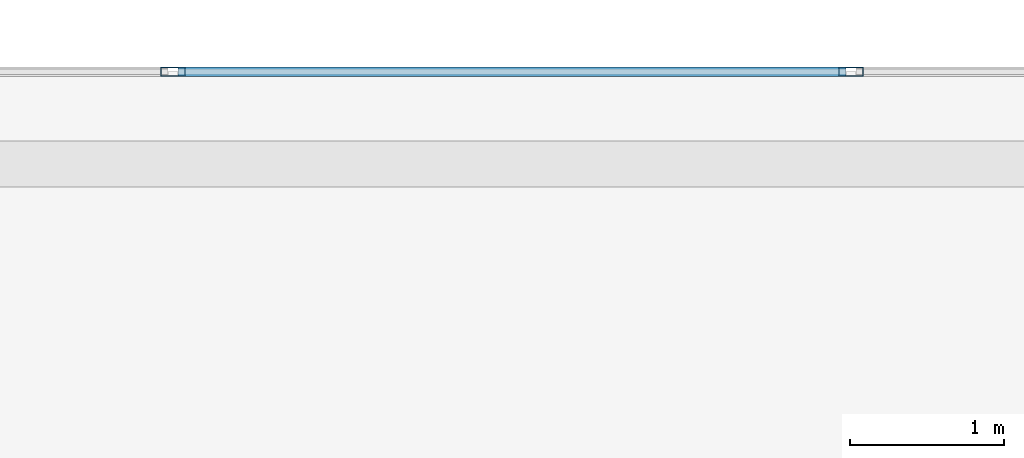
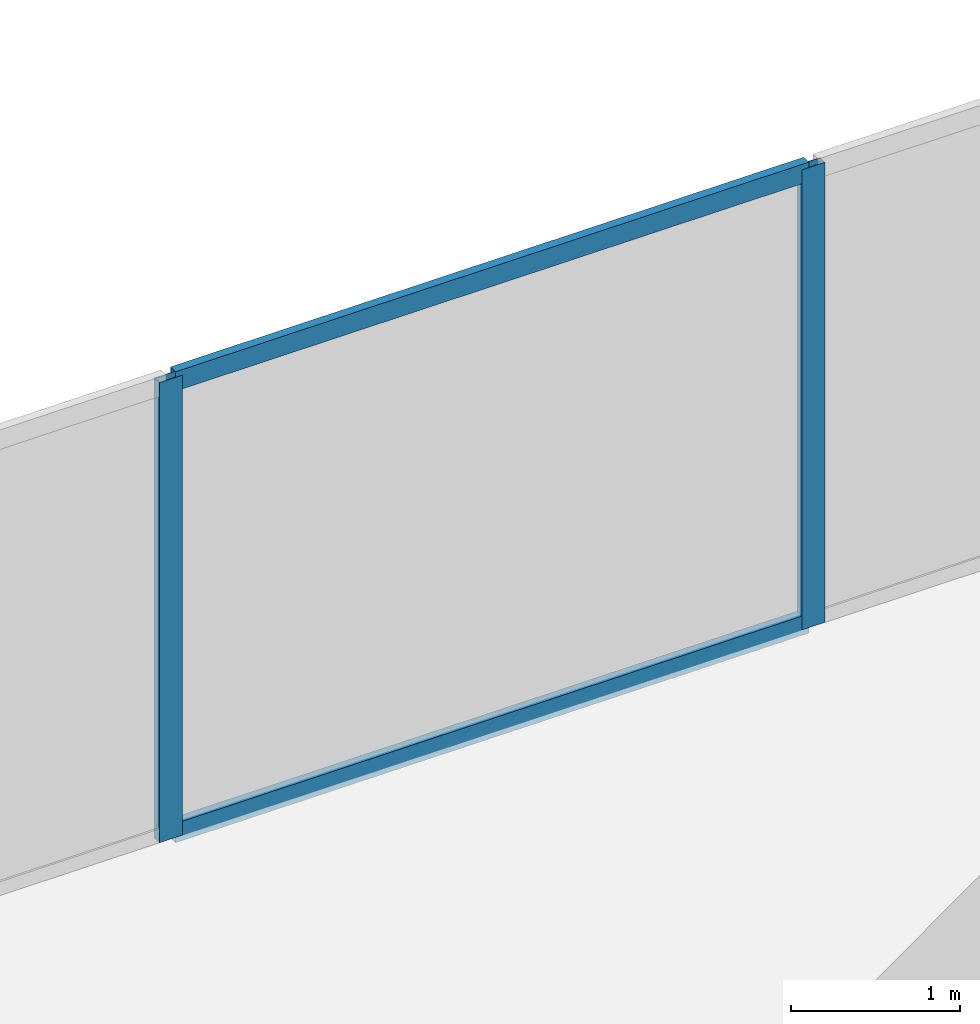
# One storey, part 22 of 34: 4 members, 1 element without a shape of its own.
"""IFC4 building model written with IfcOpenShell, lengths in metres."""

from ifc_helpers import new_model, si_unit, direction, frame, origin, origin_2d, place, context, subcontext, project, spatial, hollow_rectangle, extrude, material, layer, layer_set, material_profile, profile_set, type_object, element, aggregate, save


model = new_model("IFC4")

# Units and contexts
model_context = context("Model", 3, precision=1e-05, world=origin(), true_north=direction((0.0, 1.0)))
body_context = subcontext(model_context, "Body", "Model", "MODEL_VIEW")
ifc_project = project(units=[si_unit("LENGTHUNIT", "METRE"), si_unit("AREAUNIT", "SQUARE_METRE"), si_unit("VOLUMEUNIT", "CUBIC_METRE"), si_unit("PLANEANGLEUNIT", "RADIAN"), si_unit("MASSUNIT", "GRAM", prefix="KILO")], contexts=[model_context])

# Site, building, storey
site_placement = place(None, origin())
site = spatial("IfcSite", under=ifc_project, at=site_placement, CompositionType="ELEMENT")
building_placement = place(site_placement, origin())
building = spatial("IfcBuilding", under=site, at=building_placement, Name="Catumbela Crestline Tower", CompositionType="ELEMENT")
storey_placement = place(building_placement, frame((0.0, 0.0, 111.6)))
storey = spatial("IfcBuildingStorey", under=building, at=storey_placement, Name="L28", CompositionType="ELEMENT", Elevation=111.6)

# Curtain wall, members
ifc_material = material(Name="Aluminium alloy AW-6060-T66", Category="aluminium")
ifc_layer = layer(ifc_material, 0.18, Name="Aluminium alloy AW-6060-T66")
ifc_layer_set = layer_set([ifc_layer], Name="Aluminium alloy AW-6060-T66")
curtain_wall_type = type_object("IfcCurtainWallType", Name="CWU-Z2", PredefinedType="USERDEFINED", material=ifc_layer_set)
curtain_wall_placement = place(storey_placement, origin())
curtain_wall = element("IfcCurtainWall", 1, at=curtain_wall_placement, inside=storey, type_object=curtain_wall_type, Name="L28 Unitised Curtain Wall CW-L28-E7S1", ObjectType="UNITISED", PredefinedType="USERDEFINED")
ifc_material_profile_1 = material_profile(ifc_material, hollow_rectangle(XDim=0.06, YDim=0.16, WallThickness=0.004, at=origin_2d()), Name="ALU 160x60x4")
ifc_profile_set_1 = profile_set([ifc_material_profile_1], Name="Aluminium alloy AW-6060-T66")
member_type_1 = type_object("IfcMemberType", Name="MUL-160X60", PredefinedType="MULLION", material=ifc_profile_set_1)
member_1_placement = place(storey_placement, frame((29.9, 48.0, 0.0), z_axis=(0.0, 0.0, 1.0), x_axis=(0.0, -1.0, 0.0)))
member_1 = element("IfcMember", 2, at=member_1_placement, type_object=member_type_1, Name="CWU-Z2 mullion 5", PredefinedType="MULLION", context=body_context, shape_type="SweptSolid", body=[
    extrude(hollow_rectangle(XDim=0.06, YDim=0.16, WallThickness=0.004, at=origin_2d()), origin(), (0.0, 0.0, 1.0), 3.33),
])
member_2_placement = place(storey_placement, frame((25.5, 48.0, 0.0), z_axis=(0.0, 0.0, 1.0), x_axis=(0.0, -1.0, 0.0)))
member_2 = element("IfcMember", 3, at=member_2_placement, type_object=member_type_1, Name="CWU-Z2 mullion 6", PredefinedType="MULLION", context=body_context, shape_type="SweptSolid", body=[
    extrude(hollow_rectangle(XDim=0.06, YDim=0.16, WallThickness=0.004, at=origin_2d()), origin(), (0.0, 0.0, 1.0), 3.33),
])
ifc_material_profile_2 = material_profile(ifc_material, hollow_rectangle(XDim=0.06, YDim=0.14, WallThickness=0.004, at=origin_2d()), Name="ALU 140x60x4")
ifc_profile_set_2 = profile_set([ifc_material_profile_2], Name="Aluminium alloy AW-6060-T66")
member_type_2 = type_object("IfcMemberType", Name="TRN-140X60", PredefinedType="USERDEFINED", material=ifc_profile_set_2)
member_3_placement = place(storey_placement, frame((29.8675, 48.0, 0.03), z_axis=(-1.0, 0.0, 0.0), x_axis=(0.0, -1.0, 0.0)))
member_3 = element("IfcMember", 4, at=member_3_placement, type_object=member_type_2, Name="CWU-Z2 transom 5.1", ObjectType="TRANSOM", PredefinedType="USERDEFINED", context=body_context, shape_type="SweptSolid", body=[
    extrude(hollow_rectangle(XDim=0.06, YDim=0.14, WallThickness=0.004, at=origin_2d()), origin(), (0.0, 0.0, 1.0), 4.335),
])
member_4_placement = place(storey_placement, frame((29.8675, 48.0, 3.3), z_axis=(-1.0, 0.0, 0.0), x_axis=(0.0, -1.0, 0.0)))
member_4 = element("IfcMember", 5, at=member_4_placement, type_object=member_type_2, Name="CWU-Z2 transom 5.2", ObjectType="TRANSOM", PredefinedType="USERDEFINED", context=body_context, shape_type="SweptSolid", body=[
    extrude(hollow_rectangle(XDim=0.06, YDim=0.14, WallThickness=0.004, at=origin_2d()), origin(), (0.0, 0.0, 1.0), 4.335),
])
aggregate(curtain_wall, [member_1, member_2, member_3, member_4])

save(model, "model.ifc")
